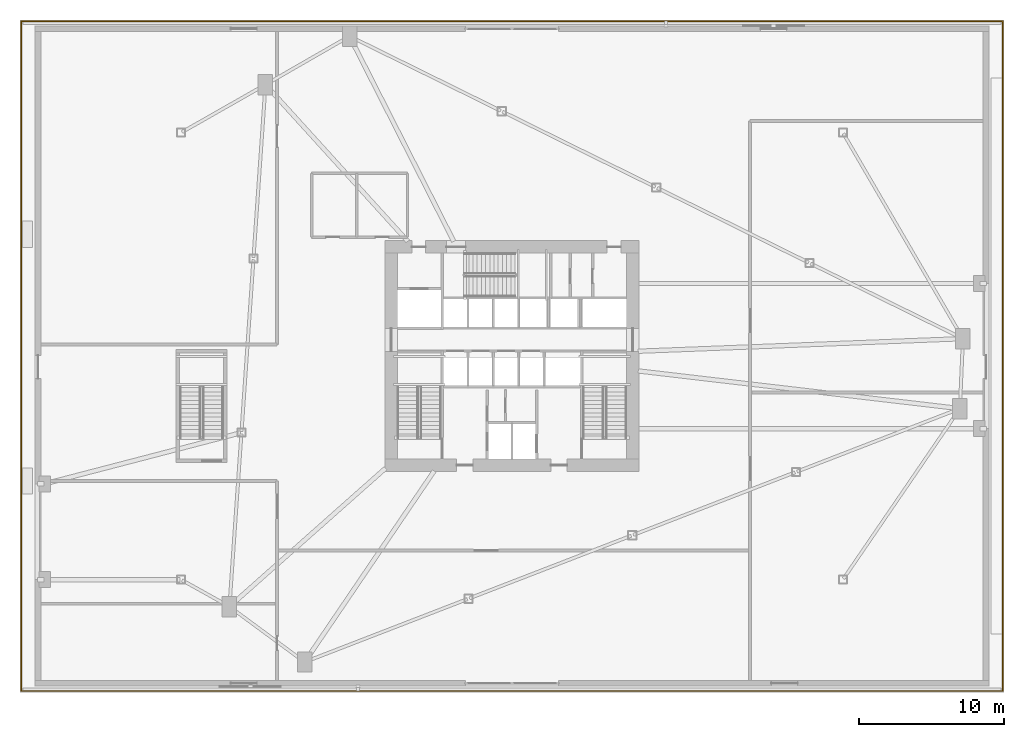
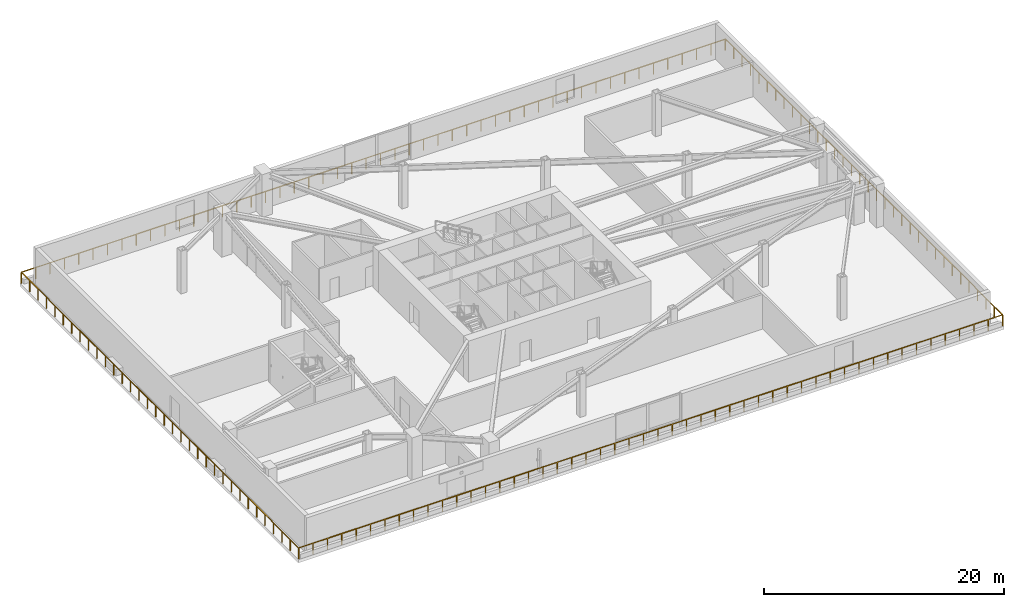
# One storey, part 14 of 16: 2 railings.
"""IFC4 building model written with IfcOpenShell, lengths in metres."""

from ifc_helpers import new_model, si_unit, direction, frame, origin, origin_2d, place, context, subcontext, project, spatial, rectangle, extrude, material, type_object, element, save


model = new_model("IFC4")

# Units and contexts
model_context = context("Model", 3, precision=1e-05, world=origin(), true_north=direction((0.0, 1.0)))
body_context = subcontext(model_context, "Body", "Model", "MODEL_VIEW")
ifc_project = project(units=[si_unit("LENGTHUNIT", "METRE"), si_unit("AREAUNIT", "SQUARE_METRE"), si_unit("VOLUMEUNIT", "CUBIC_METRE"), si_unit("PLANEANGLEUNIT", "RADIAN"), si_unit("MASSUNIT", "GRAM", prefix="KILO")], contexts=[model_context])

# Site, building, storey
site_placement = place(None, origin())
site = spatial("IfcSite", under=ifc_project, at=site_placement, CompositionType="ELEMENT")
building_placement = place(site_placement, origin())
building = spatial("IfcBuilding", under=site, at=building_placement, Name="Olszyna Solenne Hotel", CompositionType="ELEMENT")
storey_placement = place(building_placement, frame((0.0, 0.0, 15.60009765625)))
storey = spatial("IfcBuildingStorey", under=building, at=storey_placement, Name="L03", CompositionType="ELEMENT", Elevation=15.60009765625)

# Railings
ifc_material = material(Name="Steel S355J2", Category="steel")
railing_type = type_object("IfcRailingType", Name="GR-115", PredefinedType="BALUSTRADE", material=ifc_material)
railing_1_placement = place(storey_placement, frame((4.179931640625, 49.679931640625, 0.0)))
element("IfcRailing", 1, at=railing_1_placement, inside=storey, type_object=railing_type, Name="Garden terrace perimeter guard balustrade GR-L03-T11", PredefinedType="BALUSTRADE", context=body_context, shape_type="SweptSolid", body=[
    extrude(rectangle(XDim=0.048095703125, YDim=0.048095703125, at=origin_2d()), frame((0.0, 0.0, 1.1259765625), z_axis=(1.0, 0.0, 0.0), x_axis=(0.0, 1.0, 0.0)), (0.0, 0.0, 1.0), 67.64013671875),
    extrude(rectangle(XDim=0.048095703125, YDim=0.048095703125, at=origin_2d()), frame((67.64013671875, 0.0, 1.1259765625), z_axis=(0.0, -1.0, 0.0), x_axis=(1.0, 0.0, 0.0)), (0.0, 0.0, 1.0), 46.159912109375),
    extrude(rectangle(XDim=0.0419921875, YDim=0.0419921875, at=origin_2d()), origin(), (0.0, 0.0, 1.0), 1.101806640625),
    extrude(rectangle(XDim=0.0419921875, YDim=0.0419921875, at=origin_2d()), frame((1.38037109375, 0.0, 0.0)), (0.0, 0.0, 1.0), 1.101806640625),
    extrude(rectangle(XDim=0.0419921875, YDim=0.0419921875, at=origin_2d()), frame((2.7607421875, 0.0, 0.0)), (0.0, 0.0, 1.0), 1.101806640625),
    extrude(rectangle(XDim=0.0419921875, YDim=0.0419921875, at=origin_2d()), frame((4.14111328125, 0.0, 0.0)), (0.0, 0.0, 1.0), 1.101806640625),
    extrude(rectangle(XDim=0.0419921875, YDim=0.0419921875, at=origin_2d()), frame((5.521728515625, 0.0, 0.0)), (0.0, 0.0, 1.0), 1.101806640625),
    extrude(rectangle(XDim=0.0419921875, YDim=0.0419921875, at=origin_2d()), frame((6.902099609375, 0.0, 0.0)), (0.0, 0.0, 1.0), 1.101806640625),
    extrude(rectangle(XDim=0.0419921875, YDim=0.0419921875, at=origin_2d()), frame((8.282470703125, 0.0, 0.0)), (0.0, 0.0, 1.0), 1.101806640625),
    extrude(rectangle(XDim=0.0419921875, YDim=0.0419921875, at=origin_2d()), frame((9.662841796875, 0.0, 0.0)), (0.0, 0.0, 1.0), 1.101806640625),
    extrude(rectangle(XDim=0.0419921875, YDim=0.0419921875, at=origin_2d()), frame((11.043212890625, 0.0, 0.0)), (0.0, 0.0, 1.0), 1.101806640625),
    extrude(rectangle(XDim=0.0419921875, YDim=0.0419921875, at=origin_2d()), frame((12.423583984375, 0.0, 0.0)), (0.0, 0.0, 1.0), 1.101806640625),
    extrude(rectangle(XDim=0.0419921875, YDim=0.0419921875, at=origin_2d()), frame((13.80419921875, 0.0, 0.0)), (0.0, 0.0, 1.0), 1.101806640625),
    extrude(rectangle(XDim=0.0419921875, YDim=0.0419921875, at=origin_2d()), frame((15.1845703125, 0.0, 0.0)), (0.0, 0.0, 1.0), 1.101806640625),
    extrude(rectangle(XDim=0.0419921875, YDim=0.0419921875, at=origin_2d()), frame((16.56494140625, 0.0, 0.0)), (0.0, 0.0, 1.0), 1.101806640625),
    extrude(rectangle(XDim=0.0419921875, YDim=0.0419921875, at=origin_2d()), frame((17.9453125, 0.0, 0.0)), (0.0, 0.0, 1.0), 1.101806640625),
    extrude(rectangle(XDim=0.0419921875, YDim=0.0419921875, at=origin_2d()), frame((19.32568359375, 0.0, 0.0)), (0.0, 0.0, 1.0), 1.101806640625),
    extrude(rectangle(XDim=0.0419921875, YDim=0.0419921875, at=origin_2d()), frame((20.7060546875, 0.0, 0.0)), (0.0, 0.0, 1.0), 1.101806640625),
    extrude(rectangle(XDim=0.0419921875, YDim=0.0419921875, at=origin_2d()), frame((22.086669921875, 0.0, 0.0)), (0.0, 0.0, 1.0), 1.101806640625),
    extrude(rectangle(XDim=0.0419921875, YDim=0.0419921875, at=origin_2d()), frame((23.467041015625, 0.0, 0.0)), (0.0, 0.0, 1.0), 1.101806640625),
    extrude(rectangle(XDim=0.0419921875, YDim=0.0419921875, at=origin_2d()), frame((24.847412109375, 0.0, 0.0)), (0.0, 0.0, 1.0), 1.101806640625),
    extrude(rectangle(XDim=0.0419921875, YDim=0.0419921875, at=origin_2d()), frame((26.227783203125, 0.0, 0.0)), (0.0, 0.0, 1.0), 1.101806640625),
    extrude(rectangle(XDim=0.0419921875, YDim=0.0419921875, at=origin_2d()), frame((27.608154296875, 0.0, 0.0)), (0.0, 0.0, 1.0), 1.101806640625),
    extrude(rectangle(XDim=0.0419921875, YDim=0.0419921875, at=origin_2d()), frame((28.988525390625, 0.0, 0.0)), (0.0, 0.0, 1.0), 1.101806640625),
    extrude(rectangle(XDim=0.0419921875, YDim=0.0419921875, at=origin_2d()), frame((30.369140625, 0.0, 0.0)), (0.0, 0.0, 1.0), 1.101806640625),
    extrude(rectangle(XDim=0.0419921875, YDim=0.0419921875, at=origin_2d()), frame((31.74951171875, 0.0, 0.0)), (0.0, 0.0, 1.0), 1.101806640625),
    extrude(rectangle(XDim=0.0419921875, YDim=0.0419921875, at=origin_2d()), frame((33.1298828125, 0.0, 0.0)), (0.0, 0.0, 1.0), 1.101806640625),
    extrude(rectangle(XDim=0.0419921875, YDim=0.0419921875, at=origin_2d()), frame((34.51025390625, 0.0, 0.0)), (0.0, 0.0, 1.0), 1.101806640625),
    extrude(rectangle(XDim=0.0419921875, YDim=0.0419921875, at=origin_2d()), frame((35.890625, 0.0, 0.0)), (0.0, 0.0, 1.0), 1.101806640625),
    extrude(rectangle(XDim=0.0419921875, YDim=0.0419921875, at=origin_2d()), frame((37.27099609375, 0.0, 0.0)), (0.0, 0.0, 1.0), 1.101806640625),
    extrude(rectangle(XDim=0.0419921875, YDim=0.0419921875, at=origin_2d()), frame((38.651611328125, 0.0, 0.0)), (0.0, 0.0, 1.0), 1.101806640625),
    extrude(rectangle(XDim=0.0419921875, YDim=0.0419921875, at=origin_2d()), frame((40.031982421875, 0.0, 0.0)), (0.0, 0.0, 1.0), 1.101806640625),
    extrude(rectangle(XDim=0.0419921875, YDim=0.0419921875, at=origin_2d()), frame((41.412353515625, 0.0, 0.0)), (0.0, 0.0, 1.0), 1.101806640625),
    extrude(rectangle(XDim=0.0419921875, YDim=0.0419921875, at=origin_2d()), frame((42.792724609375, 0.0, 0.0)), (0.0, 0.0, 1.0), 1.101806640625),
    extrude(rectangle(XDim=0.0419921875, YDim=0.0419921875, at=origin_2d()), frame((44.173095703125, 0.0, 0.0)), (0.0, 0.0, 1.0), 1.101806640625),
    extrude(rectangle(XDim=0.0419921875, YDim=0.0419921875, at=origin_2d()), frame((45.553466796875, 0.0, 0.0)), (0.0, 0.0, 1.0), 1.101806640625),
    extrude(rectangle(XDim=0.0419921875, YDim=0.0419921875, at=origin_2d()), frame((46.93408203125, 0.0, 0.0)), (0.0, 0.0, 1.0), 1.101806640625),
    extrude(rectangle(XDim=0.0419921875, YDim=0.0419921875, at=origin_2d()), frame((48.314453125, 0.0, 0.0)), (0.0, 0.0, 1.0), 1.101806640625),
    extrude(rectangle(XDim=0.0419921875, YDim=0.0419921875, at=origin_2d()), frame((49.69482421875, 0.0, 0.0)), (0.0, 0.0, 1.0), 1.101806640625),
    extrude(rectangle(XDim=0.0419921875, YDim=0.0419921875, at=origin_2d()), frame((51.0751953125, 0.0, 0.0)), (0.0, 0.0, 1.0), 1.101806640625),
    extrude(rectangle(XDim=0.0419921875, YDim=0.0419921875, at=origin_2d()), frame((52.45556640625, 0.0, 0.0)), (0.0, 0.0, 1.0), 1.101806640625),
    extrude(rectangle(XDim=0.0419921875, YDim=0.0419921875, at=origin_2d()), frame((53.8359375, 0.0, 0.0)), (0.0, 0.0, 1.0), 1.101806640625),
    extrude(rectangle(XDim=0.0419921875, YDim=0.0419921875, at=origin_2d()), frame((55.216552734375, 0.0, 0.0)), (0.0, 0.0, 1.0), 1.101806640625),
    extrude(rectangle(XDim=0.0419921875, YDim=0.0419921875, at=origin_2d()), frame((56.596923828125, 0.0, 0.0)), (0.0, 0.0, 1.0), 1.101806640625),
    extrude(rectangle(XDim=0.0419921875, YDim=0.0419921875, at=origin_2d()), frame((57.977294921875, 0.0, 0.0)), (0.0, 0.0, 1.0), 1.101806640625),
    extrude(rectangle(XDim=0.0419921875, YDim=0.0419921875, at=origin_2d()), frame((59.357666015625, 0.0, 0.0)), (0.0, 0.0, 1.0), 1.101806640625),
    extrude(rectangle(XDim=0.0419921875, YDim=0.0419921875, at=origin_2d()), frame((60.738037109375, 0.0, 0.0)), (0.0, 0.0, 1.0), 1.101806640625),
    extrude(rectangle(XDim=0.0419921875, YDim=0.0419921875, at=origin_2d()), frame((62.118408203125, 0.0, 0.0)), (0.0, 0.0, 1.0), 1.101806640625),
    extrude(rectangle(XDim=0.0419921875, YDim=0.0419921875, at=origin_2d()), frame((63.4990234375, 0.0, 0.0)), (0.0, 0.0, 1.0), 1.101806640625),
    extrude(rectangle(XDim=0.0419921875, YDim=0.0419921875, at=origin_2d()), frame((64.87939453125, 0.0, 0.0)), (0.0, 0.0, 1.0), 1.101806640625),
    extrude(rectangle(XDim=0.0419921875, YDim=0.0419921875, at=origin_2d()), frame((66.259765625, 0.0, 0.0)), (0.0, 0.0, 1.0), 1.101806640625),
    extrude(rectangle(XDim=0.0419921875, YDim=0.0419921875, at=origin_2d()), frame((67.64013671875, 0.0, 0.0)), (0.0, 0.0, 1.0), 1.101806640625),
    extrude(rectangle(XDim=0.0419921875, YDim=0.0419921875, at=origin_2d()), frame((67.64013671875, -1.398681640625, 0.0)), (0.0, 0.0, 1.0), 1.101806640625),
    extrude(rectangle(XDim=0.0419921875, YDim=0.0419921875, at=origin_2d()), frame((67.64013671875, -2.797607421875, 0.0)), (0.0, 0.0, 1.0), 1.101806640625),
    extrude(rectangle(XDim=0.0419921875, YDim=0.0419921875, at=origin_2d()), frame((67.64013671875, -4.1962890625, 0.0)), (0.0, 0.0, 1.0), 1.101806640625),
    extrude(rectangle(XDim=0.0419921875, YDim=0.0419921875, at=origin_2d()), frame((67.64013671875, -5.59521484375, 0.0)), (0.0, 0.0, 1.0), 1.101806640625),
    extrude(rectangle(XDim=0.0419921875, YDim=0.0419921875, at=origin_2d()), frame((67.64013671875, -6.993896484375, 0.0)), (0.0, 0.0, 1.0), 1.101806640625),
    extrude(rectangle(XDim=0.0419921875, YDim=0.0419921875, at=origin_2d()), frame((67.64013671875, -8.392822265625, 0.0)), (0.0, 0.0, 1.0), 1.101806640625),
    extrude(rectangle(XDim=0.0419921875, YDim=0.0419921875, at=origin_2d()), frame((67.64013671875, -9.79150390625, 0.0)), (0.0, 0.0, 1.0), 1.101806640625),
    extrude(rectangle(XDim=0.0419921875, YDim=0.0419921875, at=origin_2d()), frame((67.64013671875, -11.190185546875, 0.0)), (0.0, 0.0, 1.0), 1.101806640625),
    extrude(rectangle(XDim=0.0419921875, YDim=0.0419921875, at=origin_2d()), frame((67.64013671875, -12.589111328125, 0.0)), (0.0, 0.0, 1.0), 1.101806640625),
    extrude(rectangle(XDim=0.0419921875, YDim=0.0419921875, at=origin_2d()), frame((67.64013671875, -13.98779296875, 0.0)), (0.0, 0.0, 1.0), 1.101806640625),
    extrude(rectangle(XDim=0.0419921875, YDim=0.0419921875, at=origin_2d()), frame((67.64013671875, -15.38671875, 0.0)), (0.0, 0.0, 1.0), 1.101806640625),
    extrude(rectangle(XDim=0.0419921875, YDim=0.0419921875, at=origin_2d()), frame((67.64013671875, -16.785400390625, 0.0)), (0.0, 0.0, 1.0), 1.101806640625),
    extrude(rectangle(XDim=0.0419921875, YDim=0.0419921875, at=origin_2d()), frame((67.64013671875, -18.184326171875, 0.0)), (0.0, 0.0, 1.0), 1.101806640625),
    extrude(rectangle(XDim=0.0419921875, YDim=0.0419921875, at=origin_2d()), frame((67.64013671875, -19.5830078125, 0.0)), (0.0, 0.0, 1.0), 1.101806640625),
    extrude(rectangle(XDim=0.0419921875, YDim=0.0419921875, at=origin_2d()), frame((67.64013671875, -20.981689453125, 0.0)), (0.0, 0.0, 1.0), 1.101806640625),
    extrude(rectangle(XDim=0.0419921875, YDim=0.0419921875, at=origin_2d()), frame((67.64013671875, -22.380615234375, 0.0)), (0.0, 0.0, 1.0), 1.101806640625),
    extrude(rectangle(XDim=0.0419921875, YDim=0.0419921875, at=origin_2d()), frame((67.64013671875, -23.779296875, 0.0)), (0.0, 0.0, 1.0), 1.101806640625),
    extrude(rectangle(XDim=0.0419921875, YDim=0.0419921875, at=origin_2d()), frame((67.64013671875, -25.17822265625, 0.0)), (0.0, 0.0, 1.0), 1.101806640625),
    extrude(rectangle(XDim=0.0419921875, YDim=0.0419921875, at=origin_2d()), frame((67.64013671875, -26.576904296875, 0.0)), (0.0, 0.0, 1.0), 1.101806640625),
    extrude(rectangle(XDim=0.0419921875, YDim=0.0419921875, at=origin_2d()), frame((67.64013671875, -27.9755859375, 0.0)), (0.0, 0.0, 1.0), 1.101806640625),
    extrude(rectangle(XDim=0.0419921875, YDim=0.0419921875, at=origin_2d()), frame((67.64013671875, -29.37451171875, 0.0)), (0.0, 0.0, 1.0), 1.101806640625),
    extrude(rectangle(XDim=0.0419921875, YDim=0.0419921875, at=origin_2d()), frame((67.64013671875, -30.773193359375, 0.0)), (0.0, 0.0, 1.0), 1.101806640625),
    extrude(rectangle(XDim=0.0419921875, YDim=0.0419921875, at=origin_2d()), frame((67.64013671875, -32.172119140625, 0.0)), (0.0, 0.0, 1.0), 1.101806640625),
    extrude(rectangle(XDim=0.0419921875, YDim=0.0419921875, at=origin_2d()), frame((67.64013671875, -33.57080078125, 0.0)), (0.0, 0.0, 1.0), 1.101806640625),
    extrude(rectangle(XDim=0.0419921875, YDim=0.0419921875, at=origin_2d()), frame((67.64013671875, -34.9697265625, 0.0)), (0.0, 0.0, 1.0), 1.101806640625),
    extrude(rectangle(XDim=0.0419921875, YDim=0.0419921875, at=origin_2d()), frame((67.64013671875, -36.368408203125, 0.0)), (0.0, 0.0, 1.0), 1.101806640625),
    extrude(rectangle(XDim=0.0419921875, YDim=0.0419921875, at=origin_2d()), frame((67.64013671875, -37.76708984375, 0.0)), (0.0, 0.0, 1.0), 1.101806640625),
    extrude(rectangle(XDim=0.0419921875, YDim=0.0419921875, at=origin_2d()), frame((67.64013671875, -39.166015625, 0.0)), (0.0, 0.0, 1.0), 1.101806640625),
    extrude(rectangle(XDim=0.0419921875, YDim=0.0419921875, at=origin_2d()), frame((67.64013671875, -40.564697265625, 0.0)), (0.0, 0.0, 1.0), 1.101806640625),
    extrude(rectangle(XDim=0.0419921875, YDim=0.0419921875, at=origin_2d()), frame((67.64013671875, -41.963623046875, 0.0)), (0.0, 0.0, 1.0), 1.101806640625),
    extrude(rectangle(XDim=0.0419921875, YDim=0.0419921875, at=origin_2d()), frame((67.64013671875, -43.3623046875, 0.0)), (0.0, 0.0, 1.0), 1.101806640625),
    extrude(rectangle(XDim=0.0419921875, YDim=0.0419921875, at=origin_2d()), frame((67.64013671875, -44.76123046875, 0.0)), (0.0, 0.0, 1.0), 1.101806640625),
    extrude(rectangle(XDim=0.0419921875, YDim=0.0419921875, at=origin_2d()), frame((67.64013671875, -46.159912109375, 0.0)), (0.0, 0.0, 1.0), 1.101806640625),
])
railing_2_placement = place(storey_placement, frame((71.820068359375, 3.52001953125, 0.0)))
element("IfcRailing", 2, at=railing_2_placement, inside=storey, type_object=railing_type, Name="Garden terrace perimeter guard balustrade GR-L03-T12", PredefinedType="BALUSTRADE", context=body_context, shape_type="SweptSolid", body=[
    extrude(rectangle(XDim=0.048095703125, YDim=0.048095703125, at=origin_2d()), frame((0.0, 0.0, 1.1259765625), z_axis=(-1.0, 0.0, 0.0), x_axis=(0.0, -1.0, 0.0)), (0.0, 0.0, 1.0), 67.64013671875),
    extrude(rectangle(XDim=0.048095703125, YDim=0.048095703125, at=origin_2d()), frame((-67.64013671875, 0.0, 1.1259765625), z_axis=(0.0, 1.0, 0.0), x_axis=(-1.0, 0.0, 0.0)), (0.0, 0.0, 1.0), 46.159912109375),
    extrude(rectangle(XDim=0.0419921875, YDim=0.0419921875, at=origin_2d()), origin(), (0.0, 0.0, 1.0), 1.101806640625),
    extrude(rectangle(XDim=0.0419921875, YDim=0.0419921875, at=origin_2d()), frame((-1.38037109375, 0.0, 0.0)), (0.0, 0.0, 1.0), 1.101806640625),
    extrude(rectangle(XDim=0.0419921875, YDim=0.0419921875, at=origin_2d()), frame((-2.7607421875, 0.0, 0.0)), (0.0, 0.0, 1.0), 1.101806640625),
    extrude(rectangle(XDim=0.0419921875, YDim=0.0419921875, at=origin_2d()), frame((-4.14111328125, 0.0, 0.0)), (0.0, 0.0, 1.0), 1.101806640625),
    extrude(rectangle(XDim=0.0419921875, YDim=0.0419921875, at=origin_2d()), frame((-5.521728515625, 0.0, 0.0)), (0.0, 0.0, 1.0), 1.101806640625),
    extrude(rectangle(XDim=0.0419921875, YDim=0.0419921875, at=origin_2d()), frame((-6.902099609375, 0.0, 0.0)), (0.0, 0.0, 1.0), 1.101806640625),
    extrude(rectangle(XDim=0.0419921875, YDim=0.0419921875, at=origin_2d()), frame((-8.282470703125, 0.0, 0.0)), (0.0, 0.0, 1.0), 1.101806640625),
    extrude(rectangle(XDim=0.0419921875, YDim=0.0419921875, at=origin_2d()), frame((-9.662841796875, 0.0, 0.0)), (0.0, 0.0, 1.0), 1.101806640625),
    extrude(rectangle(XDim=0.0419921875, YDim=0.0419921875, at=origin_2d()), frame((-11.043212890625, 0.0, 0.0)), (0.0, 0.0, 1.0), 1.101806640625),
    extrude(rectangle(XDim=0.0419921875, YDim=0.0419921875, at=origin_2d()), frame((-12.423583984375, 0.0, 0.0)), (0.0, 0.0, 1.0), 1.101806640625),
    extrude(rectangle(XDim=0.0419921875, YDim=0.0419921875, at=origin_2d()), frame((-13.80419921875, 0.0, 0.0)), (0.0, 0.0, 1.0), 1.101806640625),
    extrude(rectangle(XDim=0.0419921875, YDim=0.0419921875, at=origin_2d()), frame((-15.1845703125, 0.0, 0.0)), (0.0, 0.0, 1.0), 1.101806640625),
    extrude(rectangle(XDim=0.0419921875, YDim=0.0419921875, at=origin_2d()), frame((-16.56494140625, 0.0, 0.0)), (0.0, 0.0, 1.0), 1.101806640625),
    extrude(rectangle(XDim=0.0419921875, YDim=0.0419921875, at=origin_2d()), frame((-17.9453125, 0.0, 0.0)), (0.0, 0.0, 1.0), 1.101806640625),
    extrude(rectangle(XDim=0.0419921875, YDim=0.0419921875, at=origin_2d()), frame((-19.32568359375, 0.0, 0.0)), (0.0, 0.0, 1.0), 1.101806640625),
    extrude(rectangle(XDim=0.0419921875, YDim=0.0419921875, at=origin_2d()), frame((-20.7060546875, 0.0, 0.0)), (0.0, 0.0, 1.0), 1.101806640625),
    extrude(rectangle(XDim=0.0419921875, YDim=0.0419921875, at=origin_2d()), frame((-22.086669921875, 0.0, 0.0)), (0.0, 0.0, 1.0), 1.101806640625),
    extrude(rectangle(XDim=0.0419921875, YDim=0.0419921875, at=origin_2d()), frame((-23.467041015625, 0.0, 0.0)), (0.0, 0.0, 1.0), 1.101806640625),
    extrude(rectangle(XDim=0.0419921875, YDim=0.0419921875, at=origin_2d()), frame((-24.847412109375, 0.0, 0.0)), (0.0, 0.0, 1.0), 1.101806640625),
    extrude(rectangle(XDim=0.0419921875, YDim=0.0419921875, at=origin_2d()), frame((-26.227783203125, 0.0, 0.0)), (0.0, 0.0, 1.0), 1.101806640625),
    extrude(rectangle(XDim=0.0419921875, YDim=0.0419921875, at=origin_2d()), frame((-27.608154296875, 0.0, 0.0)), (0.0, 0.0, 1.0), 1.101806640625),
    extrude(rectangle(XDim=0.0419921875, YDim=0.0419921875, at=origin_2d()), frame((-28.988525390625, 0.0, 0.0)), (0.0, 0.0, 1.0), 1.101806640625),
    extrude(rectangle(XDim=0.0419921875, YDim=0.0419921875, at=origin_2d()), frame((-30.369140625, 0.0, 0.0)), (0.0, 0.0, 1.0), 1.101806640625),
    extrude(rectangle(XDim=0.0419921875, YDim=0.0419921875, at=origin_2d()), frame((-31.74951171875, 0.0, 0.0)), (0.0, 0.0, 1.0), 1.101806640625),
    extrude(rectangle(XDim=0.0419921875, YDim=0.0419921875, at=origin_2d()), frame((-33.1298828125, 0.0, 0.0)), (0.0, 0.0, 1.0), 1.101806640625),
    extrude(rectangle(XDim=0.0419921875, YDim=0.0419921875, at=origin_2d()), frame((-34.51025390625, 0.0, 0.0)), (0.0, 0.0, 1.0), 1.101806640625),
    extrude(rectangle(XDim=0.0419921875, YDim=0.0419921875, at=origin_2d()), frame((-35.890625, 0.0, 0.0)), (0.0, 0.0, 1.0), 1.101806640625),
    extrude(rectangle(XDim=0.0419921875, YDim=0.0419921875, at=origin_2d()), frame((-37.27099609375, 0.0, 0.0)), (0.0, 0.0, 1.0), 1.101806640625),
    extrude(rectangle(XDim=0.0419921875, YDim=0.0419921875, at=origin_2d()), frame((-38.651611328125, 0.0, 0.0)), (0.0, 0.0, 1.0), 1.101806640625),
    extrude(rectangle(XDim=0.0419921875, YDim=0.0419921875, at=origin_2d()), frame((-40.031982421875, 0.0, 0.0)), (0.0, 0.0, 1.0), 1.101806640625),
    extrude(rectangle(XDim=0.0419921875, YDim=0.0419921875, at=origin_2d()), frame((-41.412353515625, 0.0, 0.0)), (0.0, 0.0, 1.0), 1.101806640625),
    extrude(rectangle(XDim=0.0419921875, YDim=0.0419921875, at=origin_2d()), frame((-42.792724609375, 0.0, 0.0)), (0.0, 0.0, 1.0), 1.101806640625),
    extrude(rectangle(XDim=0.0419921875, YDim=0.0419921875, at=origin_2d()), frame((-44.173095703125, 0.0, 0.0)), (0.0, 0.0, 1.0), 1.101806640625),
    extrude(rectangle(XDim=0.0419921875, YDim=0.0419921875, at=origin_2d()), frame((-45.553466796875, 0.0, 0.0)), (0.0, 0.0, 1.0), 1.101806640625),
    extrude(rectangle(XDim=0.0419921875, YDim=0.0419921875, at=origin_2d()), frame((-46.93408203125, 0.0, 0.0)), (0.0, 0.0, 1.0), 1.101806640625),
    extrude(rectangle(XDim=0.0419921875, YDim=0.0419921875, at=origin_2d()), frame((-48.314453125, 0.0, 0.0)), (0.0, 0.0, 1.0), 1.101806640625),
    extrude(rectangle(XDim=0.0419921875, YDim=0.0419921875, at=origin_2d()), frame((-49.69482421875, 0.0, 0.0)), (0.0, 0.0, 1.0), 1.101806640625),
    extrude(rectangle(XDim=0.0419921875, YDim=0.0419921875, at=origin_2d()), frame((-51.0751953125, 0.0, 0.0)), (0.0, 0.0, 1.0), 1.101806640625),
    extrude(rectangle(XDim=0.0419921875, YDim=0.0419921875, at=origin_2d()), frame((-52.45556640625, 0.0, 0.0)), (0.0, 0.0, 1.0), 1.101806640625),
    extrude(rectangle(XDim=0.0419921875, YDim=0.0419921875, at=origin_2d()), frame((-53.8359375, 0.0, 0.0)), (0.0, 0.0, 1.0), 1.101806640625),
    extrude(rectangle(XDim=0.0419921875, YDim=0.0419921875, at=origin_2d()), frame((-55.216552734375, 0.0, 0.0)), (0.0, 0.0, 1.0), 1.101806640625),
    extrude(rectangle(XDim=0.0419921875, YDim=0.0419921875, at=origin_2d()), frame((-56.596923828125, 0.0, 0.0)), (0.0, 0.0, 1.0), 1.101806640625),
    extrude(rectangle(XDim=0.0419921875, YDim=0.0419921875, at=origin_2d()), frame((-57.977294921875, 0.0, 0.0)), (0.0, 0.0, 1.0), 1.101806640625),
    extrude(rectangle(XDim=0.0419921875, YDim=0.0419921875, at=origin_2d()), frame((-59.357666015625, 0.0, 0.0)), (0.0, 0.0, 1.0), 1.101806640625),
    extrude(rectangle(XDim=0.0419921875, YDim=0.0419921875, at=origin_2d()), frame((-60.738037109375, 0.0, 0.0)), (0.0, 0.0, 1.0), 1.101806640625),
    extrude(rectangle(XDim=0.0419921875, YDim=0.0419921875, at=origin_2d()), frame((-62.118408203125, 0.0, 0.0)), (0.0, 0.0, 1.0), 1.101806640625),
    extrude(rectangle(XDim=0.0419921875, YDim=0.0419921875, at=origin_2d()), frame((-63.4990234375, 0.0, 0.0)), (0.0, 0.0, 1.0), 1.101806640625),
    extrude(rectangle(XDim=0.0419921875, YDim=0.0419921875, at=origin_2d()), frame((-64.87939453125, 0.0, 0.0)), (0.0, 0.0, 1.0), 1.101806640625),
    extrude(rectangle(XDim=0.0419921875, YDim=0.0419921875, at=origin_2d()), frame((-66.259765625, 0.0, 0.0)), (0.0, 0.0, 1.0), 1.101806640625),
    extrude(rectangle(XDim=0.0419921875, YDim=0.0419921875, at=origin_2d()), frame((-67.64013671875, 0.0, 0.0)), (0.0, 0.0, 1.0), 1.101806640625),
    extrude(rectangle(XDim=0.0419921875, YDim=0.0419921875, at=origin_2d()), frame((-67.64013671875, 1.398681640625, 0.0)), (0.0, 0.0, 1.0), 1.101806640625),
    extrude(rectangle(XDim=0.0419921875, YDim=0.0419921875, at=origin_2d()), frame((-67.64013671875, 2.797607421875, 0.0)), (0.0, 0.0, 1.0), 1.101806640625),
    extrude(rectangle(XDim=0.0419921875, YDim=0.0419921875, at=origin_2d()), frame((-67.64013671875, 4.1962890625, 0.0)), (0.0, 0.0, 1.0), 1.101806640625),
    extrude(rectangle(XDim=0.0419921875, YDim=0.0419921875, at=origin_2d()), frame((-67.64013671875, 5.59521484375, 0.0)), (0.0, 0.0, 1.0), 1.101806640625),
    extrude(rectangle(XDim=0.0419921875, YDim=0.0419921875, at=origin_2d()), frame((-67.64013671875, 6.993896484375, 0.0)), (0.0, 0.0, 1.0), 1.101806640625),
    extrude(rectangle(XDim=0.0419921875, YDim=0.0419921875, at=origin_2d()), frame((-67.64013671875, 8.392822265625, 0.0)), (0.0, 0.0, 1.0), 1.101806640625),
    extrude(rectangle(XDim=0.0419921875, YDim=0.0419921875, at=origin_2d()), frame((-67.64013671875, 9.79150390625, 0.0)), (0.0, 0.0, 1.0), 1.101806640625),
    extrude(rectangle(XDim=0.0419921875, YDim=0.0419921875, at=origin_2d()), frame((-67.64013671875, 11.190185546875, 0.0)), (0.0, 0.0, 1.0), 1.101806640625),
    extrude(rectangle(XDim=0.0419921875, YDim=0.0419921875, at=origin_2d()), frame((-67.64013671875, 12.589111328125, 0.0)), (0.0, 0.0, 1.0), 1.101806640625),
    extrude(rectangle(XDim=0.0419921875, YDim=0.0419921875, at=origin_2d()), frame((-67.64013671875, 13.98779296875, 0.0)), (0.0, 0.0, 1.0), 1.101806640625),
    extrude(rectangle(XDim=0.0419921875, YDim=0.0419921875, at=origin_2d()), frame((-67.64013671875, 15.38671875, 0.0)), (0.0, 0.0, 1.0), 1.101806640625),
    extrude(rectangle(XDim=0.0419921875, YDim=0.0419921875, at=origin_2d()), frame((-67.64013671875, 16.785400390625, 0.0)), (0.0, 0.0, 1.0), 1.101806640625),
    extrude(rectangle(XDim=0.0419921875, YDim=0.0419921875, at=origin_2d()), frame((-67.64013671875, 18.184326171875, 0.0)), (0.0, 0.0, 1.0), 1.101806640625),
    extrude(rectangle(XDim=0.0419921875, YDim=0.0419921875, at=origin_2d()), frame((-67.64013671875, 19.5830078125, 0.0)), (0.0, 0.0, 1.0), 1.101806640625),
    extrude(rectangle(XDim=0.0419921875, YDim=0.0419921875, at=origin_2d()), frame((-67.64013671875, 20.981689453125, 0.0)), (0.0, 0.0, 1.0), 1.101806640625),
    extrude(rectangle(XDim=0.0419921875, YDim=0.0419921875, at=origin_2d()), frame((-67.64013671875, 22.380615234375, 0.0)), (0.0, 0.0, 1.0), 1.101806640625),
    extrude(rectangle(XDim=0.0419921875, YDim=0.0419921875, at=origin_2d()), frame((-67.64013671875, 23.779296875, 0.0)), (0.0, 0.0, 1.0), 1.101806640625),
    extrude(rectangle(XDim=0.0419921875, YDim=0.0419921875, at=origin_2d()), frame((-67.64013671875, 25.17822265625, 0.0)), (0.0, 0.0, 1.0), 1.101806640625),
    extrude(rectangle(XDim=0.0419921875, YDim=0.0419921875, at=origin_2d()), frame((-67.64013671875, 26.576904296875, 0.0)), (0.0, 0.0, 1.0), 1.101806640625),
    extrude(rectangle(XDim=0.0419921875, YDim=0.0419921875, at=origin_2d()), frame((-67.64013671875, 27.9755859375, 0.0)), (0.0, 0.0, 1.0), 1.101806640625),
    extrude(rectangle(XDim=0.0419921875, YDim=0.0419921875, at=origin_2d()), frame((-67.64013671875, 29.37451171875, 0.0)), (0.0, 0.0, 1.0), 1.101806640625),
    extrude(rectangle(XDim=0.0419921875, YDim=0.0419921875, at=origin_2d()), frame((-67.64013671875, 30.773193359375, 0.0)), (0.0, 0.0, 1.0), 1.101806640625),
    extrude(rectangle(XDim=0.0419921875, YDim=0.0419921875, at=origin_2d()), frame((-67.64013671875, 32.172119140625, 0.0)), (0.0, 0.0, 1.0), 1.101806640625),
    extrude(rectangle(XDim=0.0419921875, YDim=0.0419921875, at=origin_2d()), frame((-67.64013671875, 33.57080078125, 0.0)), (0.0, 0.0, 1.0), 1.101806640625),
    extrude(rectangle(XDim=0.0419921875, YDim=0.0419921875, at=origin_2d()), frame((-67.64013671875, 34.9697265625, 0.0)), (0.0, 0.0, 1.0), 1.101806640625),
    extrude(rectangle(XDim=0.0419921875, YDim=0.0419921875, at=origin_2d()), frame((-67.64013671875, 36.368408203125, 0.0)), (0.0, 0.0, 1.0), 1.101806640625),
    extrude(rectangle(XDim=0.0419921875, YDim=0.0419921875, at=origin_2d()), frame((-67.64013671875, 37.76708984375, 0.0)), (0.0, 0.0, 1.0), 1.101806640625),
    extrude(rectangle(XDim=0.0419921875, YDim=0.0419921875, at=origin_2d()), frame((-67.64013671875, 39.166015625, 0.0)), (0.0, 0.0, 1.0), 1.101806640625),
    extrude(rectangle(XDim=0.0419921875, YDim=0.0419921875, at=origin_2d()), frame((-67.64013671875, 40.564697265625, 0.0)), (0.0, 0.0, 1.0), 1.101806640625),
    extrude(rectangle(XDim=0.0419921875, YDim=0.0419921875, at=origin_2d()), frame((-67.64013671875, 41.963623046875, 0.0)), (0.0, 0.0, 1.0), 1.101806640625),
    extrude(rectangle(XDim=0.0419921875, YDim=0.0419921875, at=origin_2d()), frame((-67.64013671875, 43.3623046875, 0.0)), (0.0, 0.0, 1.0), 1.101806640625),
    extrude(rectangle(XDim=0.0419921875, YDim=0.0419921875, at=origin_2d()), frame((-67.64013671875, 44.76123046875, 0.0)), (0.0, 0.0, 1.0), 1.101806640625),
    extrude(rectangle(XDim=0.0419921875, YDim=0.0419921875, at=origin_2d()), frame((-67.64013671875, 46.159912109375, 0.0)), (0.0, 0.0, 1.0), 1.101806640625),
])

save(model, "model.ifc")
